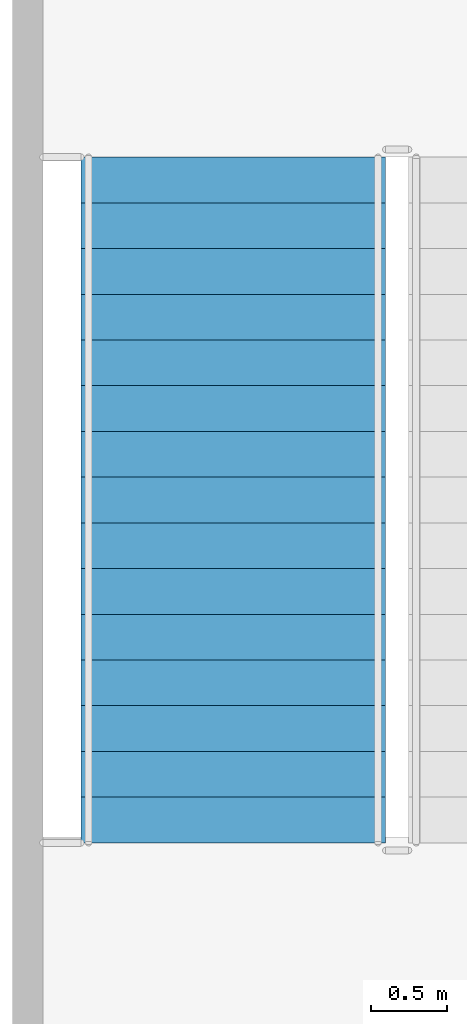
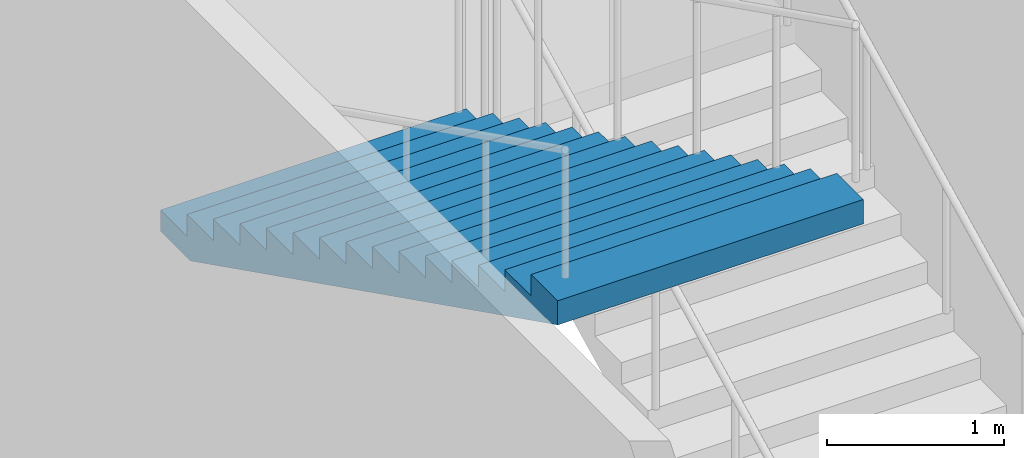
# One storey, part 58 of 86: 1 stair flight, 1 element without a shape of its own.
"""IFC4 building model written with IfcOpenShell, lengths in metres."""

from ifc_helpers import new_model, si_unit, direction, frame, origin, place, context, subcontext, project, spatial, faceted_brep, material, type_object, element, aggregate, save


model = new_model("IFC4")

# Units and contexts
model_context = context("Model", 3, precision=1e-05, world=origin(), true_north=direction((0.0, 1.0)))
body_context = subcontext(model_context, "Body", "Model", "MODEL_VIEW")
ifc_project = project(units=[si_unit("LENGTHUNIT", "METRE"), si_unit("AREAUNIT", "SQUARE_METRE"), si_unit("VOLUMEUNIT", "CUBIC_METRE"), si_unit("PLANEANGLEUNIT", "RADIAN"), si_unit("MASSUNIT", "GRAM", prefix="KILO")], contexts=[model_context])

# Site, building, storey
site_placement = place(None, origin())
site = spatial("IfcSite", under=ifc_project, at=site_placement, CompositionType="ELEMENT")
building_placement = place(site_placement, origin())
building = spatial("IfcBuilding", under=site, at=building_placement, Name="Kiln Court Media Centre", CompositionType="ELEMENT")
storey_placement = place(building_placement, frame((0.0, 0.0, 10.199951171875)))
storey = spatial("IfcBuildingStorey", under=building, at=storey_placement, Name="L02", CompositionType="ELEMENT", Elevation=10.199951171875)

# Stair, stair flight
ifc_material_1 = material(Name="Concrete C40/50", Category="concrete")
stair_type = type_object("IfcStairType", Name="Concrete C40/50 dog-leg stair 2000 wide, 150 riser", PredefinedType="HALF_TURN_STAIR", material=ifc_material_1)
stair_placement = place(storey_placement, origin())
stair = element("IfcStair", 1, at=stair_placement, inside=storey, type_object=stair_type, Name="ST-06 L02", PredefinedType="HALF_TURN_STAIR")
ifc_material_2 = material(Name="Concrete C40/50", Category="concrete")
stair_flight_type = type_object("IfcStairFlightType", Name="Concrete C40/50 stair flight 2000 wide, 150 riser, 300 going", PredefinedType="STRAIGHT", material=ifc_material_2)
stair_flight_placement = place(storey_placement, frame((1.449951171875, 40.89990234375, 2.400146484375), z_axis=(0.0, 0.0, 1.0), x_axis=(0.0, -1.0, 0.0)))
stair_flight = element("IfcStairFlight", 2, at=stair_flight_placement, type_object=stair_flight_type, Name="L02-ST-5005 flight 5011", NumberOfRisers=16, NumberOfTreads=15, PredefinedType="STRAIGHT", RiserHeight=0.15, TreadLength=0.3, context=body_context, shape_type="Brep", body=[
    faceted_brep([(0.335205078125, -1.0, 0.0), (4.5, -1.0, 2.08251953125), (4.5, -1.0, 2.25), (4.199951171875, -1.0, 2.25), (4.199951171875, -1.0, 2.10009765625), (3.89990234375, -1.0, 2.10009765625), (3.89990234375, -1.0, 1.949951171875), (3.60009765625, -1.0, 1.949951171875), (3.60009765625, -1.0, 1.800048828125), (3.300048828125, -1.0, 1.800048828125), (3.300048828125, -1.0, 1.64990234375), (3.0, -1.0, 1.64990234375), (3.0, -1.0, 1.5), (2.699951171875, -1.0, 1.5), (2.699951171875, -1.0, 1.35009765625), (2.39990234375, -1.0, 1.35009765625), (2.39990234375, -1.0, 1.199951171875), (2.10009765625, -1.0, 1.199951171875), (2.10009765625, -1.0, 1.050048828125), (1.800048828125, -1.0, 1.050048828125), (1.800048828125, -1.0, 0.89990234375), (1.5, -1.0, 0.89990234375), (1.5, -1.0, 0.75), (1.199951171875, -1.0, 0.75), (1.199951171875, -1.0, 0.60009765625), (0.89990234375, -1.0, 0.60009765625), (0.89990234375, -1.0, 0.449951171875), (0.60009765625, -1.0, 0.449951171875), (0.60009765625, -1.0, 0.300048828125), (0.300048828125, -1.0, 0.300048828125), (0.300048828125, -1.0, 0.14990234375), (0.0, -1.0, 0.14990234375), (0.0, -1.0, 0.0), (0.0, 1.0, 0.0), (0.0, 1.0, 0.14990234375), (0.300048828125, 1.0, 0.14990234375), (0.300048828125, 1.0, 0.300048828125), (0.60009765625, 1.0, 0.300048828125), (0.60009765625, 1.0, 0.449951171875), (0.89990234375, 1.0, 0.449951171875), (0.89990234375, 1.0, 0.60009765625), (1.199951171875, 1.0, 0.60009765625), (1.199951171875, 1.0, 0.75), (1.5, 1.0, 0.75), (1.5, 1.0, 0.89990234375), (1.800048828125, 1.0, 0.89990234375), (1.800048828125, 1.0, 1.050048828125), (2.10009765625, 1.0, 1.050048828125), (2.10009765625, 1.0, 1.199951171875), (2.39990234375, 1.0, 1.199951171875), (2.39990234375, 1.0, 1.35009765625), (2.699951171875, 1.0, 1.35009765625), (2.699951171875, 1.0, 1.5), (3.0, 1.0, 1.5), (3.0, 1.0, 1.64990234375), (3.300048828125, 1.0, 1.64990234375), (3.300048828125, 1.0, 1.800048828125), (3.60009765625, 1.0, 1.800048828125), (3.60009765625, 1.0, 1.949951171875), (3.89990234375, 1.0, 1.949951171875), (3.89990234375, 1.0, 2.10009765625), (4.199951171875, 1.0, 2.10009765625), (4.199951171875, 1.0, 2.25), (4.5, 1.0, 2.25), (4.5, 1.0, 2.08251953125), (0.335205078125, 1.0, 0.0), (4.5, 0.10009765625, 2.08251953125), (0.335205078125, 0.10009765625, 0.0), (4.5, 0.080078125, 2.08251953125), (0.335205078125, 0.080078125, 0.0), (4.5, 0.06005859375, 2.08251953125), (0.335205078125, 0.06005859375, 0.0), (4.5, 0.0400390625, 2.08251953125), (0.335205078125, 0.0400390625, 0.0), (4.5, 0.02001953125, 2.08251953125), (0.335205078125, 0.02001953125, 0.0), (4.5, 0.0, 2.08251953125), (0.335205078125, 0.0, 0.0), (4.5, -0.02001953125, 2.08251953125), (0.335205078125, -0.02001953125, 0.0), (4.5, -0.0400390625, 2.08251953125), (0.335205078125, -0.0400390625, 0.0), (4.5, -0.06005859375, 2.08251953125), (0.335205078125, -0.06005859375, 0.0), (4.5, -0.080078125, 2.08251953125), (0.335205078125, -0.080078125, 0.0), (4.5, -0.10009765625, 2.08251953125), (0.335205078125, -0.10009765625, 0.0), (4.5, 0.10009765625, 2.25), (4.5, 0.080078125, 2.25), (4.5, 0.06005859375, 2.25), (4.5, 0.0400390625, 2.25), (4.5, 0.02001953125, 2.25), (4.5, 0.0, 2.25), (4.5, -0.02001953125, 2.25), (4.5, -0.0400390625, 2.25), (4.5, -0.06005859375, 2.25), (4.5, -0.080078125, 2.25), (4.5, -0.10009765625, 2.25), (4.199951171875, 0.10009765625, 2.25), (4.199951171875, 0.080078125, 2.25), (4.199951171875, 0.06005859375, 2.25), (4.199951171875, 0.0400390625, 2.25), (4.199951171875, 0.02001953125, 2.25), (4.199951171875, 0.0, 2.25), (4.199951171875, -0.02001953125, 2.25), (4.199951171875, -0.0400390625, 2.25), (4.199951171875, -0.06005859375, 2.25), (4.199951171875, -0.080078125, 2.25), (4.199951171875, -0.10009765625, 2.25), (4.199951171875, 0.10009765625, 2.10009765625), (4.199951171875, 0.080078125, 2.10009765625), (4.199951171875, 0.06005859375, 2.10009765625), (4.199951171875, 0.0400390625, 2.10009765625), (4.199951171875, 0.02001953125, 2.10009765625), (4.199951171875, 0.0, 2.10009765625), (4.199951171875, -0.02001953125, 2.10009765625), (4.199951171875, -0.0400390625, 2.10009765625), (4.199951171875, -0.06005859375, 2.10009765625), (4.199951171875, -0.080078125, 2.10009765625), (4.199951171875, -0.10009765625, 2.10009765625), (3.89990234375, 0.10009765625, 2.10009765625), (3.89990234375, 0.080078125, 2.10009765625), (3.89990234375, 0.06005859375, 2.10009765625), (3.89990234375, 0.0400390625, 2.10009765625), (3.89990234375, 0.02001953125, 2.10009765625), (3.89990234375, 0.0, 2.10009765625), (3.89990234375, -0.02001953125, 2.10009765625), (3.89990234375, -0.0400390625, 2.10009765625), (3.89990234375, -0.06005859375, 2.10009765625), (3.89990234375, -0.080078125, 2.10009765625), (3.89990234375, -0.10009765625, 2.10009765625), (3.89990234375, 0.10009765625, 1.949951171875), (3.89990234375, 0.080078125, 1.949951171875), (3.89990234375, 0.06005859375, 1.949951171875), (3.89990234375, 0.0400390625, 1.949951171875), (3.89990234375, 0.02001953125, 1.949951171875), (3.89990234375, 0.0, 1.949951171875), (3.89990234375, -0.02001953125, 1.949951171875), (3.89990234375, -0.0400390625, 1.949951171875), (3.89990234375, -0.06005859375, 1.949951171875), (3.89990234375, -0.080078125, 1.949951171875), (3.89990234375, -0.10009765625, 1.949951171875), (3.60009765625, 0.10009765625, 1.949951171875), (3.60009765625, 0.080078125, 1.949951171875), (3.60009765625, 0.06005859375, 1.949951171875), (3.60009765625, 0.0400390625, 1.949951171875), (3.60009765625, 0.02001953125, 1.949951171875), (3.60009765625, 0.0, 1.949951171875), (3.60009765625, -0.02001953125, 1.949951171875), (3.60009765625, -0.0400390625, 1.949951171875), (3.60009765625, -0.06005859375, 1.949951171875), (3.60009765625, -0.080078125, 1.949951171875), (3.60009765625, -0.10009765625, 1.949951171875), (3.60009765625, 0.10009765625, 1.800048828125), (3.60009765625, 0.080078125, 1.800048828125), (3.60009765625, 0.06005859375, 1.800048828125), (3.60009765625, 0.0400390625, 1.800048828125), (3.60009765625, 0.02001953125, 1.800048828125), (3.60009765625, 0.0, 1.800048828125), (3.60009765625, -0.02001953125, 1.800048828125), (3.60009765625, -0.0400390625, 1.800048828125), (3.60009765625, -0.06005859375, 1.800048828125), (3.60009765625, -0.080078125, 1.800048828125), (3.60009765625, -0.10009765625, 1.800048828125), (3.300048828125, 0.10009765625, 1.800048828125), (3.300048828125, 0.080078125, 1.800048828125), (3.300048828125, 0.06005859375, 1.800048828125), (3.300048828125, 0.0400390625, 1.800048828125), (3.300048828125, 0.02001953125, 1.800048828125), (3.300048828125, 0.0, 1.800048828125), (3.300048828125, -0.02001953125, 1.800048828125), (3.300048828125, -0.0400390625, 1.800048828125), (3.300048828125, -0.06005859375, 1.800048828125), (3.300048828125, -0.080078125, 1.800048828125), (3.300048828125, -0.10009765625, 1.800048828125), (3.300048828125, 0.10009765625, 1.64990234375), (3.300048828125, 0.080078125, 1.64990234375), (3.300048828125, 0.06005859375, 1.64990234375), (3.300048828125, 0.0400390625, 1.64990234375), (3.300048828125, 0.02001953125, 1.64990234375), (3.300048828125, 0.0, 1.64990234375), (3.300048828125, -0.02001953125, 1.64990234375), (3.300048828125, -0.0400390625, 1.64990234375), (3.300048828125, -0.06005859375, 1.64990234375), (3.300048828125, -0.080078125, 1.64990234375), (3.300048828125, -0.10009765625, 1.64990234375), (3.0, 0.10009765625, 1.64990234375), (3.0, 0.080078125, 1.64990234375), (3.0, 0.06005859375, 1.64990234375), (3.0, 0.0400390625, 1.64990234375), (3.0, 0.02001953125, 1.64990234375), (3.0, 0.0, 1.64990234375), (3.0, -0.02001953125, 1.64990234375), (3.0, -0.0400390625, 1.64990234375), (3.0, -0.06005859375, 1.64990234375), (3.0, -0.080078125, 1.64990234375), (3.0, -0.10009765625, 1.64990234375), (3.0, 0.10009765625, 1.5), (3.0, 0.080078125, 1.5), (3.0, 0.06005859375, 1.5), (3.0, 0.0400390625, 1.5), (3.0, 0.02001953125, 1.5), (3.0, 0.0, 1.5), (3.0, -0.02001953125, 1.5), (3.0, -0.0400390625, 1.5), (3.0, -0.06005859375, 1.5), (3.0, -0.080078125, 1.5), (3.0, -0.10009765625, 1.5), (2.699951171875, 0.10009765625, 1.5), (2.699951171875, 0.080078125, 1.5), (2.699951171875, 0.06005859375, 1.5), (2.699951171875, 0.0400390625, 1.5), (2.699951171875, 0.02001953125, 1.5), (2.699951171875, 0.0, 1.5), (2.699951171875, -0.02001953125, 1.5), (2.699951171875, -0.0400390625, 1.5), (2.699951171875, -0.06005859375, 1.5), (2.699951171875, -0.080078125, 1.5), (2.699951171875, -0.10009765625, 1.5), (2.699951171875, 0.10009765625, 1.35009765625), (2.699951171875, 0.080078125, 1.35009765625), (2.699951171875, 0.06005859375, 1.35009765625), (2.699951171875, 0.0400390625, 1.35009765625), (2.699951171875, 0.02001953125, 1.35009765625), (2.699951171875, 0.0, 1.35009765625), (2.699951171875, -0.02001953125, 1.35009765625), (2.699951171875, -0.0400390625, 1.35009765625), (2.699951171875, -0.06005859375, 1.35009765625), (2.699951171875, -0.080078125, 1.35009765625), (2.699951171875, -0.10009765625, 1.35009765625), (2.39990234375, 0.10009765625, 1.35009765625), (2.39990234375, 0.080078125, 1.35009765625), (2.39990234375, 0.06005859375, 1.35009765625), (2.39990234375, 0.0400390625, 1.35009765625), (2.39990234375, 0.02001953125, 1.35009765625), (2.39990234375, 0.0, 1.35009765625), (2.39990234375, -0.02001953125, 1.35009765625), (2.39990234375, -0.0400390625, 1.35009765625), (2.39990234375, -0.06005859375, 1.35009765625), (2.39990234375, -0.080078125, 1.35009765625), (2.39990234375, -0.10009765625, 1.35009765625), (2.39990234375, 0.10009765625, 1.199951171875), (2.39990234375, 0.080078125, 1.199951171875), (2.39990234375, 0.06005859375, 1.199951171875), (2.39990234375, 0.0400390625, 1.199951171875), (2.39990234375, 0.02001953125, 1.199951171875), (2.39990234375, 0.0, 1.199951171875), (2.39990234375, -0.02001953125, 1.199951171875), (2.39990234375, -0.0400390625, 1.199951171875), (2.39990234375, -0.06005859375, 1.199951171875), (2.39990234375, -0.080078125, 1.199951171875), (2.39990234375, -0.10009765625, 1.199951171875), (2.10009765625, 0.10009765625, 1.199951171875), (2.10009765625, 0.080078125, 1.199951171875), (2.10009765625, 0.06005859375, 1.199951171875), (2.10009765625, 0.0400390625, 1.199951171875), (2.10009765625, 0.02001953125, 1.199951171875), (2.10009765625, 0.0, 1.199951171875), (2.10009765625, -0.02001953125, 1.199951171875), (2.10009765625, -0.0400390625, 1.199951171875), (2.10009765625, -0.06005859375, 1.199951171875), (2.10009765625, -0.080078125, 1.199951171875), (2.10009765625, -0.10009765625, 1.199951171875), (2.10009765625, 0.10009765625, 1.050048828125), (2.10009765625, 0.080078125, 1.050048828125), (2.10009765625, 0.06005859375, 1.050048828125), (2.10009765625, 0.0400390625, 1.050048828125), (2.10009765625, 0.02001953125, 1.050048828125), (2.10009765625, 0.0, 1.050048828125), (2.10009765625, -0.02001953125, 1.050048828125), (2.10009765625, -0.0400390625, 1.050048828125), (2.10009765625, -0.06005859375, 1.050048828125), (2.10009765625, -0.080078125, 1.050048828125), (2.10009765625, -0.10009765625, 1.050048828125), (1.800048828125, 0.10009765625, 1.050048828125), (1.800048828125, 0.080078125, 1.050048828125), (1.800048828125, 0.06005859375, 1.050048828125), (1.800048828125, 0.0400390625, 1.050048828125), (1.800048828125, 0.02001953125, 1.050048828125), (1.800048828125, 0.0, 1.050048828125), (1.800048828125, -0.02001953125, 1.050048828125), (1.800048828125, -0.0400390625, 1.050048828125), (1.800048828125, -0.06005859375, 1.050048828125), (1.800048828125, -0.080078125, 1.050048828125), (1.800048828125, -0.10009765625, 1.050048828125), (1.800048828125, 0.10009765625, 0.89990234375), (1.800048828125, 0.080078125, 0.89990234375), (1.800048828125, 0.06005859375, 0.89990234375), (1.800048828125, 0.0400390625, 0.89990234375), (1.800048828125, 0.02001953125, 0.89990234375), (1.800048828125, 0.0, 0.89990234375), (1.800048828125, -0.02001953125, 0.89990234375), (1.800048828125, -0.0400390625, 0.89990234375), (1.800048828125, -0.06005859375, 0.89990234375), (1.800048828125, -0.080078125, 0.89990234375), (1.800048828125, -0.10009765625, 0.89990234375), (1.5, 0.10009765625, 0.89990234375), (1.5, 0.080078125, 0.89990234375), (1.5, 0.06005859375, 0.89990234375), (1.5, 0.0400390625, 0.89990234375), (1.5, 0.02001953125, 0.89990234375), (1.5, 0.0, 0.89990234375), (1.5, -0.02001953125, 0.89990234375), (1.5, -0.0400390625, 0.89990234375), (1.5, -0.06005859375, 0.89990234375), (1.5, -0.080078125, 0.89990234375), (1.5, -0.10009765625, 0.89990234375), (1.5, 0.10009765625, 0.75), (1.5, 0.080078125, 0.75), (1.5, 0.06005859375, 0.75), (1.5, 0.0400390625, 0.75), (1.5, 0.02001953125, 0.75), (1.5, 0.0, 0.75), (1.5, -0.02001953125, 0.75), (1.5, -0.0400390625, 0.75), (1.5, -0.06005859375, 0.75), (1.5, -0.080078125, 0.75), (1.5, -0.10009765625, 0.75), (1.199951171875, 0.10009765625, 0.75), (1.199951171875, 0.080078125, 0.75), (1.199951171875, 0.06005859375, 0.75), (1.199951171875, 0.0400390625, 0.75), (1.199951171875, 0.02001953125, 0.75), (1.199951171875, 0.0, 0.75), (1.199951171875, -0.02001953125, 0.75), (1.199951171875, -0.0400390625, 0.75), (1.199951171875, -0.06005859375, 0.75), (1.199951171875, -0.080078125, 0.75), (1.199951171875, -0.10009765625, 0.75), (1.199951171875, 0.10009765625, 0.60009765625), (1.199951171875, 0.080078125, 0.60009765625), (1.199951171875, 0.06005859375, 0.60009765625), (1.199951171875, 0.0400390625, 0.60009765625), (1.199951171875, 0.02001953125, 0.60009765625), (1.199951171875, 0.0, 0.60009765625), (1.199951171875, -0.02001953125, 0.60009765625), (1.199951171875, -0.0400390625, 0.60009765625), (1.199951171875, -0.06005859375, 0.60009765625), (1.199951171875, -0.080078125, 0.60009765625), (1.199951171875, -0.10009765625, 0.60009765625), (0.89990234375, 0.10009765625, 0.60009765625), (0.89990234375, 0.080078125, 0.60009765625), (0.89990234375, 0.06005859375, 0.60009765625), (0.89990234375, 0.0400390625, 0.60009765625), (0.89990234375, 0.02001953125, 0.60009765625), (0.89990234375, 0.0, 0.60009765625), (0.89990234375, -0.02001953125, 0.60009765625), (0.89990234375, -0.0400390625, 0.60009765625), (0.89990234375, -0.06005859375, 0.60009765625), (0.89990234375, -0.080078125, 0.60009765625), (0.89990234375, -0.10009765625, 0.60009765625), (0.89990234375, 0.10009765625, 0.449951171875), (0.89990234375, 0.080078125, 0.449951171875), (0.89990234375, 0.06005859375, 0.449951171875), (0.89990234375, 0.0400390625, 0.449951171875), (0.89990234375, 0.02001953125, 0.449951171875), (0.89990234375, 0.0, 0.449951171875), (0.89990234375, -0.02001953125, 0.449951171875), (0.89990234375, -0.0400390625, 0.449951171875), (0.89990234375, -0.06005859375, 0.449951171875), (0.89990234375, -0.080078125, 0.449951171875), (0.89990234375, -0.10009765625, 0.449951171875), (0.60009765625, 0.10009765625, 0.449951171875), (0.60009765625, 0.080078125, 0.449951171875), (0.60009765625, 0.06005859375, 0.449951171875), (0.60009765625, 0.0400390625, 0.449951171875), (0.60009765625, 0.02001953125, 0.449951171875), (0.60009765625, 0.0, 0.449951171875), (0.60009765625, -0.02001953125, 0.449951171875), (0.60009765625, -0.0400390625, 0.449951171875), (0.60009765625, -0.06005859375, 0.449951171875), (0.60009765625, -0.080078125, 0.449951171875), (0.60009765625, -0.10009765625, 0.449951171875), (0.60009765625, 0.10009765625, 0.300048828125), (0.60009765625, 0.080078125, 0.300048828125), (0.60009765625, 0.06005859375, 0.300048828125), (0.60009765625, 0.0400390625, 0.300048828125), (0.60009765625, 0.02001953125, 0.300048828125), (0.60009765625, 0.0, 0.300048828125), (0.60009765625, -0.02001953125, 0.300048828125), (0.60009765625, -0.0400390625, 0.300048828125), (0.60009765625, -0.06005859375, 0.300048828125), (0.60009765625, -0.080078125, 0.300048828125), (0.60009765625, -0.10009765625, 0.300048828125), (0.300048828125, 0.10009765625, 0.300048828125), (0.300048828125, 0.080078125, 0.300048828125), (0.300048828125, 0.06005859375, 0.300048828125), (0.300048828125, 0.0400390625, 0.300048828125), (0.300048828125, 0.02001953125, 0.300048828125), (0.300048828125, 0.0, 0.300048828125), (0.300048828125, -0.02001953125, 0.300048828125), (0.300048828125, -0.0400390625, 0.300048828125), (0.300048828125, -0.06005859375, 0.300048828125), (0.300048828125, -0.080078125, 0.300048828125), (0.300048828125, -0.10009765625, 0.300048828125), (0.300048828125, 0.10009765625, 0.14990234375), (0.300048828125, 0.080078125, 0.14990234375), (0.300048828125, 0.06005859375, 0.14990234375), (0.300048828125, 0.0400390625, 0.14990234375), (0.300048828125, 0.02001953125, 0.14990234375), (0.300048828125, 0.0, 0.14990234375), (0.300048828125, -0.02001953125, 0.14990234375), (0.300048828125, -0.0400390625, 0.14990234375), (0.300048828125, -0.06005859375, 0.14990234375), (0.300048828125, -0.080078125, 0.14990234375), (0.300048828125, -0.10009765625, 0.14990234375), (0.0, 0.10009765625, 0.14990234375), (0.0, 0.080078125, 0.14990234375), (0.0, 0.06005859375, 0.14990234375), (0.0, 0.0400390625, 0.14990234375), (0.0, 0.02001953125, 0.14990234375), (0.0, 0.0, 0.14990234375), (0.0, -0.02001953125, 0.14990234375), (0.0, -0.0400390625, 0.14990234375), (0.0, -0.06005859375, 0.14990234375), (0.0, -0.080078125, 0.14990234375), (0.0, -0.10009765625, 0.14990234375), (0.0, 0.10009765625, 0.0), (0.0, 0.080078125, 0.0), (0.0, 0.06005859375, 0.0), (0.0, 0.0400390625, 0.0), (0.0, 0.02001953125, 0.0), (0.0, 0.0, 0.0), (0.0, -0.02001953125, 0.0), (0.0, -0.0400390625, 0.0), (0.0, -0.06005859375, 0.0), (0.0, -0.080078125, 0.0), (0.0, -0.10009765625, 0.0)], [[[0, 1, 2, 3, 4, 5, 6, 7, 8, 9, 10, 11, 12, 13, 14, 15, 16, 17, 18, 19, 20, 21, 22, 23, 24, 25, 26, 27, 28, 29, 30, 31, 32]], [[33, 34, 35, 36, 37, 38, 39, 40, 41, 42, 43, 44, 45, 46, 47, 48, 49, 50, 51, 52, 53, 54, 55, 56, 57, 58, 59, 60, 61, 62, 63, 64, 65]], [[65, 64, 66, 67]], [[67, 66, 68, 69]], [[69, 68, 70, 71]], [[71, 70, 72, 73]], [[73, 72, 74, 75]], [[75, 74, 76, 77]], [[77, 76, 78, 79]], [[79, 78, 80, 81]], [[81, 80, 82, 83]], [[83, 82, 84, 85]], [[85, 84, 86, 87]], [[87, 86, 1, 0]], [[64, 63, 88, 66]], [[66, 88, 89, 68]], [[68, 89, 90, 70]], [[70, 90, 91, 72]], [[72, 91, 92, 74]], [[74, 92, 93, 76]], [[76, 93, 94, 78]], [[78, 94, 95, 80]], [[80, 95, 96, 82]], [[82, 96, 97, 84]], [[84, 97, 98, 86]], [[86, 98, 2, 1]], [[63, 62, 99, 88]], [[88, 99, 100, 89]], [[89, 100, 101, 90]], [[90, 101, 102, 91]], [[91, 102, 103, 92]], [[92, 103, 104, 93]], [[93, 104, 105, 94]], [[94, 105, 106, 95]], [[95, 106, 107, 96]], [[96, 107, 108, 97]], [[97, 108, 109, 98]], [[98, 109, 3, 2]], [[62, 61, 110, 99]], [[99, 110, 111, 100]], [[100, 111, 112, 101]], [[101, 112, 113, 102]], [[102, 113, 114, 103]], [[103, 114, 115, 104]], [[104, 115, 116, 105]], [[105, 116, 117, 106]], [[106, 117, 118, 107]], [[107, 118, 119, 108]], [[108, 119, 120, 109]], [[109, 120, 4, 3]], [[61, 60, 121, 110]], [[110, 121, 122, 111]], [[111, 122, 123, 112]], [[112, 123, 124, 113]], [[113, 124, 125, 114]], [[114, 125, 126, 115]], [[115, 126, 127, 116]], [[116, 127, 128, 117]], [[117, 128, 129, 118]], [[118, 129, 130, 119]], [[119, 130, 131, 120]], [[120, 131, 5, 4]], [[60, 59, 132, 121]], [[121, 132, 133, 122]], [[122, 133, 134, 123]], [[123, 134, 135, 124]], [[124, 135, 136, 125]], [[125, 136, 137, 126]], [[126, 137, 138, 127]], [[127, 138, 139, 128]], [[128, 139, 140, 129]], [[129, 140, 141, 130]], [[130, 141, 142, 131]], [[131, 142, 6, 5]], [[59, 58, 143, 132]], [[132, 143, 144, 133]], [[133, 144, 145, 134]], [[134, 145, 146, 135]], [[135, 146, 147, 136]], [[136, 147, 148, 137]], [[137, 148, 149, 138]], [[138, 149, 150, 139]], [[139, 150, 151, 140]], [[140, 151, 152, 141]], [[141, 152, 153, 142]], [[142, 153, 7, 6]], [[58, 57, 154, 143]], [[143, 154, 155, 144]], [[144, 155, 156, 145]], [[145, 156, 157, 146]], [[146, 157, 158, 147]], [[147, 158, 159, 148]], [[148, 159, 160, 149]], [[149, 160, 161, 150]], [[150, 161, 162, 151]], [[151, 162, 163, 152]], [[152, 163, 164, 153]], [[153, 164, 8, 7]], [[57, 56, 165, 154]], [[154, 165, 166, 155]], [[155, 166, 167, 156]], [[156, 167, 168, 157]], [[157, 168, 169, 158]], [[158, 169, 170, 159]], [[159, 170, 171, 160]], [[160, 171, 172, 161]], [[161, 172, 173, 162]], [[162, 173, 174, 163]], [[163, 174, 175, 164]], [[164, 175, 9, 8]], [[56, 55, 176, 165]], [[165, 176, 177, 166]], [[166, 177, 178, 167]], [[167, 178, 179, 168]], [[168, 179, 180, 169]], [[169, 180, 181, 170]], [[170, 181, 182, 171]], [[171, 182, 183, 172]], [[172, 183, 184, 173]], [[173, 184, 185, 174]], [[174, 185, 186, 175]], [[175, 186, 10, 9]], [[55, 54, 187, 176]], [[176, 187, 188, 177]], [[177, 188, 189, 178]], [[178, 189, 190, 179]], [[179, 190, 191, 180]], [[180, 191, 192, 181]], [[181, 192, 193, 182]], [[182, 193, 194, 183]], [[183, 194, 195, 184]], [[184, 195, 196, 185]], [[185, 196, 197, 186]], [[186, 197, 11, 10]], [[54, 53, 198, 187]], [[187, 198, 199, 188]], [[188, 199, 200, 189]], [[189, 200, 201, 190]], [[190, 201, 202, 191]], [[191, 202, 203, 192]], [[192, 203, 204, 193]], [[193, 204, 205, 194]], [[194, 205, 206, 195]], [[195, 206, 207, 196]], [[196, 207, 208, 197]], [[197, 208, 12, 11]], [[53, 52, 209, 198]], [[198, 209, 210, 199]], [[199, 210, 211, 200]], [[200, 211, 212, 201]], [[201, 212, 213, 202]], [[202, 213, 214, 203]], [[203, 214, 215, 204]], [[204, 215, 216, 205]], [[205, 216, 217, 206]], [[206, 217, 218, 207]], [[207, 218, 219, 208]], [[208, 219, 13, 12]], [[52, 51, 220, 209]], [[209, 220, 221, 210]], [[210, 221, 222, 211]], [[211, 222, 223, 212]], [[212, 223, 224, 213]], [[213, 224, 225, 214]], [[214, 225, 226, 215]], [[215, 226, 227, 216]], [[216, 227, 228, 217]], [[217, 228, 229, 218]], [[218, 229, 230, 219]], [[219, 230, 14, 13]], [[51, 50, 231, 220]], [[220, 231, 232, 221]], [[221, 232, 233, 222]], [[222, 233, 234, 223]], [[223, 234, 235, 224]], [[224, 235, 236, 225]], [[225, 236, 237, 226]], [[226, 237, 238, 227]], [[227, 238, 239, 228]], [[228, 239, 240, 229]], [[229, 240, 241, 230]], [[230, 241, 15, 14]], [[50, 49, 242, 231]], [[231, 242, 243, 232]], [[232, 243, 244, 233]], [[233, 244, 245, 234]], [[234, 245, 246, 235]], [[235, 246, 247, 236]], [[236, 247, 248, 237]], [[237, 248, 249, 238]], [[238, 249, 250, 239]], [[239, 250, 251, 240]], [[240, 251, 252, 241]], [[241, 252, 16, 15]], [[49, 48, 253, 242]], [[242, 253, 254, 243]], [[243, 254, 255, 244]], [[244, 255, 256, 245]], [[245, 256, 257, 246]], [[246, 257, 258, 247]], [[247, 258, 259, 248]], [[248, 259, 260, 249]], [[249, 260, 261, 250]], [[250, 261, 262, 251]], [[251, 262, 263, 252]], [[252, 263, 17, 16]], [[48, 47, 264, 253]], [[253, 264, 265, 254]], [[254, 265, 266, 255]], [[255, 266, 267, 256]], [[256, 267, 268, 257]], [[257, 268, 269, 258]], [[258, 269, 270, 259]], [[259, 270, 271, 260]], [[260, 271, 272, 261]], [[261, 272, 273, 262]], [[262, 273, 274, 263]], [[263, 274, 18, 17]], [[47, 46, 275, 264]], [[264, 275, 276, 265]], [[265, 276, 277, 266]], [[266, 277, 278, 267]], [[267, 278, 279, 268]], [[268, 279, 280, 269]], [[269, 280, 281, 270]], [[270, 281, 282, 271]], [[271, 282, 283, 272]], [[272, 283, 284, 273]], [[273, 284, 285, 274]], [[274, 285, 19, 18]], [[46, 45, 286, 275]], [[275, 286, 287, 276]], [[276, 287, 288, 277]], [[277, 288, 289, 278]], [[278, 289, 290, 279]], [[279, 290, 291, 280]], [[280, 291, 292, 281]], [[281, 292, 293, 282]], [[282, 293, 294, 283]], [[283, 294, 295, 284]], [[284, 295, 296, 285]], [[285, 296, 20, 19]], [[45, 44, 297, 286]], [[286, 297, 298, 287]], [[287, 298, 299, 288]], [[288, 299, 300, 289]], [[289, 300, 301, 290]], [[290, 301, 302, 291]], [[291, 302, 303, 292]], [[292, 303, 304, 293]], [[293, 304, 305, 294]], [[294, 305, 306, 295]], [[295, 306, 307, 296]], [[296, 307, 21, 20]], [[44, 43, 308, 297]], [[297, 308, 309, 298]], [[298, 309, 310, 299]], [[299, 310, 311, 300]], [[300, 311, 312, 301]], [[301, 312, 313, 302]], [[302, 313, 314, 303]], [[303, 314, 315, 304]], [[304, 315, 316, 305]], [[305, 316, 317, 306]], [[306, 317, 318, 307]], [[307, 318, 22, 21]], [[43, 42, 319, 308]], [[308, 319, 320, 309]], [[309, 320, 321, 310]], [[310, 321, 322, 311]], [[311, 322, 323, 312]], [[312, 323, 324, 313]], [[313, 324, 325, 314]], [[314, 325, 326, 315]], [[315, 326, 327, 316]], [[316, 327, 328, 317]], [[317, 328, 329, 318]], [[318, 329, 23, 22]], [[42, 41, 330, 319]], [[319, 330, 331, 320]], [[320, 331, 332, 321]], [[321, 332, 333, 322]], [[322, 333, 334, 323]], [[323, 334, 335, 324]], [[324, 335, 336, 325]], [[325, 336, 337, 326]], [[326, 337, 338, 327]], [[327, 338, 339, 328]], [[328, 339, 340, 329]], [[329, 340, 24, 23]], [[41, 40, 341, 330]], [[330, 341, 342, 331]], [[331, 342, 343, 332]], [[332, 343, 344, 333]], [[333, 344, 345, 334]], [[334, 345, 346, 335]], [[335, 346, 347, 336]], [[336, 347, 348, 337]], [[337, 348, 349, 338]], [[338, 349, 350, 339]], [[339, 350, 351, 340]], [[340, 351, 25, 24]], [[40, 39, 352, 341]], [[341, 352, 353, 342]], [[342, 353, 354, 343]], [[343, 354, 355, 344]], [[344, 355, 356, 345]], [[345, 356, 357, 346]], [[346, 357, 358, 347]], [[347, 358, 359, 348]], [[348, 359, 360, 349]], [[349, 360, 361, 350]], [[350, 361, 362, 351]], [[351, 362, 26, 25]], [[39, 38, 363, 352]], [[352, 363, 364, 353]], [[353, 364, 365, 354]], [[354, 365, 366, 355]], [[355, 366, 367, 356]], [[356, 367, 368, 357]], [[357, 368, 369, 358]], [[358, 369, 370, 359]], [[359, 370, 371, 360]], [[360, 371, 372, 361]], [[361, 372, 373, 362]], [[362, 373, 27, 26]], [[38, 37, 374, 363]], [[363, 374, 375, 364]], [[364, 375, 376, 365]], [[365, 376, 377, 366]], [[366, 377, 378, 367]], [[367, 378, 379, 368]], [[368, 379, 380, 369]], [[369, 380, 381, 370]], [[370, 381, 382, 371]], [[371, 382, 383, 372]], [[372, 383, 384, 373]], [[373, 384, 28, 27]], [[37, 36, 385, 374]], [[374, 385, 386, 375]], [[375, 386, 387, 376]], [[376, 387, 388, 377]], [[377, 388, 389, 378]], [[378, 389, 390, 379]], [[379, 390, 391, 380]], [[380, 391, 392, 381]], [[381, 392, 393, 382]], [[382, 393, 394, 383]], [[383, 394, 395, 384]], [[384, 395, 29, 28]], [[36, 35, 396, 385]], [[385, 396, 397, 386]], [[386, 397, 398, 387]], [[387, 398, 399, 388]], [[388, 399, 400, 389]], [[389, 400, 401, 390]], [[390, 401, 402, 391]], [[391, 402, 403, 392]], [[392, 403, 404, 393]], [[393, 404, 405, 394]], [[394, 405, 406, 395]], [[395, 406, 30, 29]], [[35, 34, 407, 396]], [[396, 407, 408, 397]], [[397, 408, 409, 398]], [[398, 409, 410, 399]], [[399, 410, 411, 400]], [[400, 411, 412, 401]], [[401, 412, 413, 402]], [[402, 413, 414, 403]], [[403, 414, 415, 404]], [[404, 415, 416, 405]], [[405, 416, 417, 406]], [[406, 417, 31, 30]], [[34, 33, 418, 407]], [[407, 418, 419, 408]], [[408, 419, 420, 409]], [[409, 420, 421, 410]], [[410, 421, 422, 411]], [[411, 422, 423, 412]], [[412, 423, 424, 413]], [[413, 424, 425, 414]], [[414, 425, 426, 415]], [[415, 426, 427, 416]], [[416, 427, 428, 417]], [[417, 428, 32, 31]], [[33, 65, 67, 418]], [[418, 67, 69, 419]], [[419, 69, 71, 420]], [[420, 71, 73, 421]], [[421, 73, 75, 422]], [[422, 75, 77, 423]], [[423, 77, 79, 424]], [[424, 79, 81, 425]], [[425, 81, 83, 426]], [[426, 83, 85, 427]], [[427, 85, 87, 428]], [[428, 87, 0, 32]]]),
])
aggregate(stair, [stair_flight])

save(model, "model.ifc")
